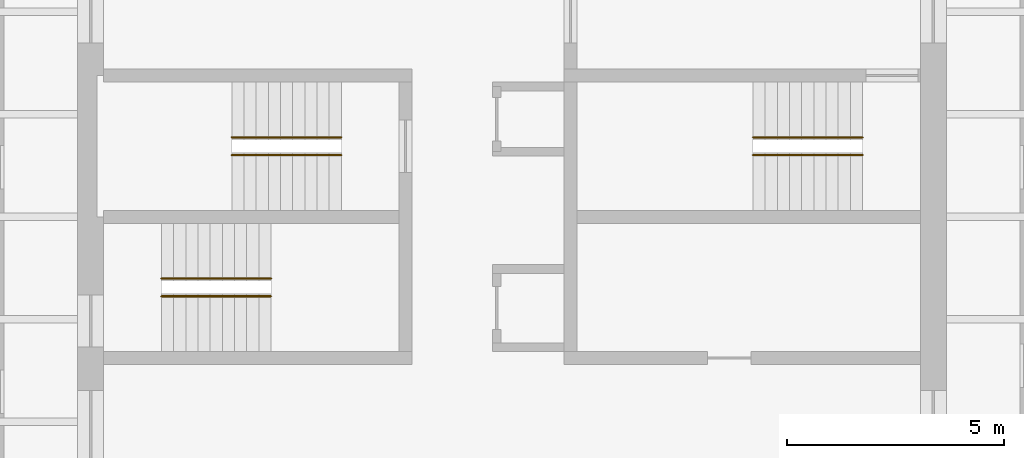
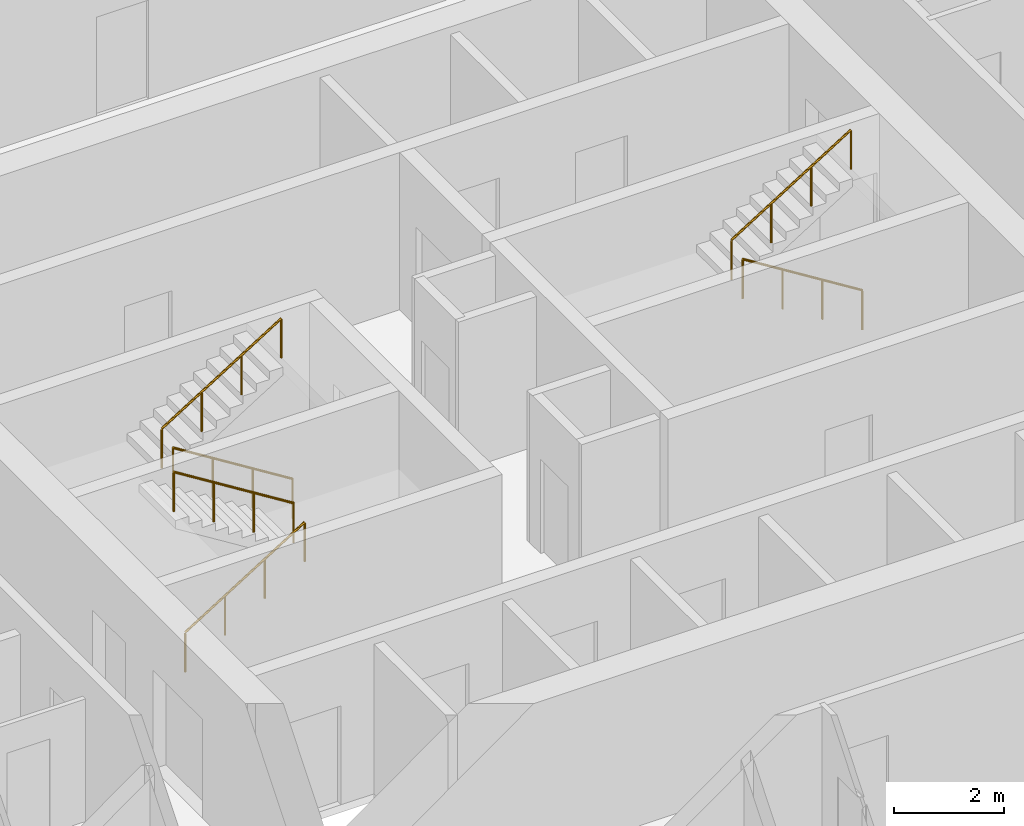
# One storey, part 9 of 9: 6 railings.
"""IFC4 building model written with IfcOpenShell, lengths in metres."""

from ifc_helpers import new_model, si_unit, direction, frame, origin, origin_2d, place, context, subcontext, project, spatial, circle, extrude, material, type_object, element, save


model = new_model("IFC4")

# Units and contexts
model_context = context("Model", 3, precision=1e-05, world=origin(), true_north=direction((0.0, 1.0)))
body_context = subcontext(model_context, "Body", "Model", "MODEL_VIEW")
ifc_project = project(units=[si_unit("LENGTHUNIT", "METRE"), si_unit("AREAUNIT", "SQUARE_METRE"), si_unit("VOLUMEUNIT", "CUBIC_METRE"), si_unit("PLANEANGLEUNIT", "RADIAN"), si_unit("MASSUNIT", "GRAM", prefix="KILO")], contexts=[model_context])

# Site, building, storey
site_placement = place(None, origin())
site = spatial("IfcSite", under=ifc_project, at=site_placement, CompositionType="ELEMENT")
building_placement = place(site_placement, origin())
building = spatial("IfcBuilding", under=site, at=building_placement, Name="Turquesa Mirador Hotel Tower", CompositionType="ELEMENT")
storey_placement = place(building_placement, frame((0.0, 0.0, 200.300048828125)))
storey = spatial("IfcBuildingStorey", under=building, at=storey_placement, Name="L54", CompositionType="ELEMENT", Elevation=200.300048828125)

# Railings
ifc_material = material(Name="Painted steel handrail", Category="steel")
railing_type = type_object("IfcRailingType", Name="HANDRAIL 900 STEEL", PredefinedType="HANDRAIL", material=ifc_material)
railing_1_placement = place(storey_placement, frame((51.070068359375, 46.419921875, 0.175048828125)))
element("IfcRailing", 1, at=railing_1_placement, inside=storey, type_object=railing_type, Name="Handrail ST1", PredefinedType="HANDRAIL", context=body_context, shape_type="SweptSolid", body=[
    extrude(circle(Radius=0.02392578125, at=origin_2d()), frame((0.0, 0.0, 0.8759765625), z_axis=(-0.848007534815, 0.0, 0.529984170421), x_axis=(0.0, -1.0, 0.0)), (0.0, 0.0, 1.0), 2.9716796875),
    extrude(circle(Radius=0.02099609375, at=origin_2d()), origin(), (0.0, 0.0, 1.0), 0.851806640625),
    extrude(circle(Radius=0.02099609375, at=origin_2d()), frame((-0.840087890625, 0.0, 0.52490234375)), (0.0, 0.0, 1.0), 0.851806640625),
    extrude(circle(Radius=0.02099609375, at=origin_2d()), frame((-1.679931640625, 0.0, 1.050048828125)), (0.0, 0.0, 1.0), 0.851806640625),
    extrude(circle(Radius=0.02099609375, at=origin_2d()), frame((-2.52001953125, 0.0, 1.574951171875)), (0.0, 0.0, 1.0), 0.851806640625),
])
for number, where, name in (
    (2, (48.550048828125, 46.830078125, 1.925048828125), "Handrail ST1"),
    (3, (46.929931640625, 43.169921875, 0.175048828125), "Handrail ST2"),
):
    element("IfcRailing", number, at=place(storey_placement, frame(where)), inside=storey, type_object=railing_type, Name=name, PredefinedType="HANDRAIL", context=body_context, shape_type="SweptSolid", body=[
        extrude(circle(Radius=0.02392578125, at=origin_2d()), frame((0.0, 0.0, 0.8759765625), z_axis=(0.848007534815, 0.0, 0.529984170421), x_axis=(0.0, 1.0, 0.0)), (0.0, 0.0, 1.0), 2.9716796875),
        extrude(circle(Radius=0.02099609375, at=origin_2d()), origin(), (0.0, 0.0, 1.0), 0.851806640625),
        extrude(circle(Radius=0.02099609375, at=origin_2d()), frame((0.840087890625, 0.0, 0.52490234375)), (0.0, 0.0, 1.0), 0.851806640625),
        extrude(circle(Radius=0.02099609375, at=origin_2d()), frame((1.679931640625, 0.0, 1.050048828125)), (0.0, 0.0, 1.0), 0.851806640625),
        extrude(circle(Radius=0.02099609375, at=origin_2d()), frame((2.52001953125, 0.0, 1.574951171875)), (0.0, 0.0, 1.0), 0.851806640625),
    ])
for number, where, name in (
    (4, (49.449951171875, 43.580078125, 1.925048828125), "Handrail ST2"),
    (5, (63.070068359375, 46.419921875, 0.175048828125), "Handrail ST3"),
):
    element("IfcRailing", number, at=place(storey_placement, frame(where)), inside=storey, type_object=railing_type, Name=name, PredefinedType="HANDRAIL", context=body_context, shape_type="SweptSolid", body=[
        extrude(circle(Radius=0.02392578125, at=origin_2d()), frame((0.0, 0.0, 0.8759765625), z_axis=(-0.848007534815, 0.0, 0.529984170421), x_axis=(0.0, -1.0, 0.0)), (0.0, 0.0, 1.0), 2.9716796875),
        extrude(circle(Radius=0.02099609375, at=origin_2d()), origin(), (0.0, 0.0, 1.0), 0.851806640625),
        extrude(circle(Radius=0.02099609375, at=origin_2d()), frame((-0.840087890625, 0.0, 0.52490234375)), (0.0, 0.0, 1.0), 0.851806640625),
        extrude(circle(Radius=0.02099609375, at=origin_2d()), frame((-1.679931640625, 0.0, 1.050048828125)), (0.0, 0.0, 1.0), 0.851806640625),
        extrude(circle(Radius=0.02099609375, at=origin_2d()), frame((-2.52001953125, 0.0, 1.574951171875)), (0.0, 0.0, 1.0), 0.851806640625),
    ])
railing_2_placement = place(storey_placement, frame((60.550048828125, 46.830078125, 1.925048828125)))
element("IfcRailing", 6, at=railing_2_placement, inside=storey, type_object=railing_type, Name="Handrail ST3", PredefinedType="HANDRAIL", context=body_context, shape_type="SweptSolid", body=[
    extrude(circle(Radius=0.02392578125, at=origin_2d()), frame((0.0, 0.0, 0.8759765625), z_axis=(0.848007534815, 0.0, 0.529984170421), x_axis=(0.0, 1.0, 0.0)), (0.0, 0.0, 1.0), 2.9716796875),
    extrude(circle(Radius=0.02099609375, at=origin_2d()), origin(), (0.0, 0.0, 1.0), 0.851806640625),
    extrude(circle(Radius=0.02099609375, at=origin_2d()), frame((0.840087890625, 0.0, 0.52490234375)), (0.0, 0.0, 1.0), 0.851806640625),
    extrude(circle(Radius=0.02099609375, at=origin_2d()), frame((1.679931640625, 0.0, 1.050048828125)), (0.0, 0.0, 1.0), 0.851806640625),
    extrude(circle(Radius=0.02099609375, at=origin_2d()), frame((2.52001953125, 0.0, 1.574951171875)), (0.0, 0.0, 1.0), 0.851806640625),
])

save(model, "model.ifc")
